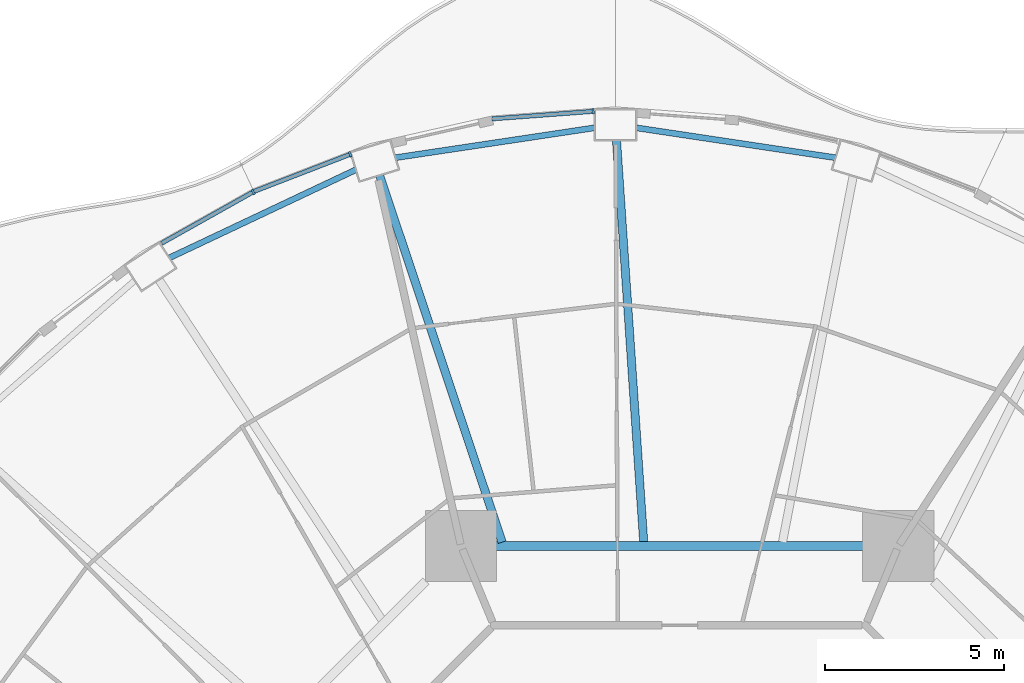
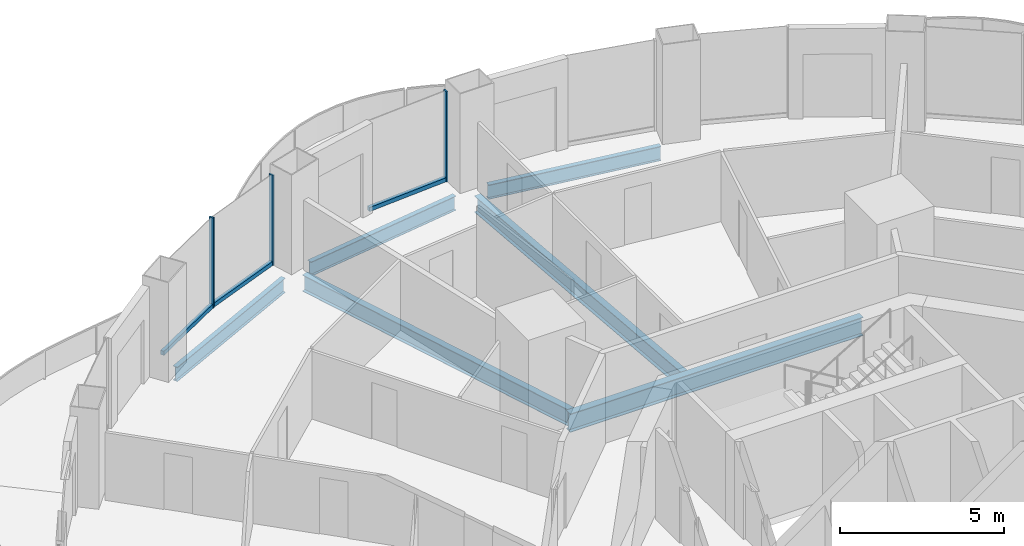
# One storey, part 8 of 21: 6 beams, 6 members, 3 elements without a shape of their own.
"""IFC4 building model written with IfcOpenShell, lengths in metres."""

from ifc_helpers import new_model, si_unit, direction, frame, origin, origin_2d, place, context, subcontext, project, spatial, rectangle, i_section, extrude, material, layer, layer_set, material_profile, profile_set, type_object, element, aggregate, save


model = new_model("IFC4")

# Units and contexts
model_context = context("Model", 3, precision=1e-05, world=origin(), true_north=direction((0.0, 1.0)))
body_context = subcontext(model_context, "Body", "Model", "MODEL_VIEW")
ifc_project = project(units=[si_unit("LENGTHUNIT", "METRE"), si_unit("AREAUNIT", "SQUARE_METRE"), si_unit("VOLUMEUNIT", "CUBIC_METRE"), si_unit("PLANEANGLEUNIT", "RADIAN"), si_unit("MASSUNIT", "GRAM", prefix="KILO")], contexts=[model_context])

# Site, building, storey
site_placement = place(None, origin())
site = spatial("IfcSite", under=ifc_project, at=site_placement, CompositionType="ELEMENT")
building_placement = place(site_placement, origin())
building = spatial("IfcBuilding", under=site, at=building_placement, Name="Nagisa Residences", CompositionType="ELEMENT")
storey_placement = place(building_placement, frame((0.0, 0.0, 156.60009765625)))
storey = spatial("IfcBuildingStorey", under=building, at=storey_placement, Name="L39", CompositionType="ELEMENT", Elevation=156.60009765625)

# Curtain wall, member
ifc_material_1 = material(Name="Concrete-coloured aluminium curtain wall system", Category="concrete")
ifc_layer = layer(ifc_material_1, 0.159912109375)
ifc_layer_set = layer_set([ifc_layer], Name="CW1 CURTAIN WALL")
curtain_wall_type = type_object("IfcCurtainWallType", Name="CW1 CURTAIN WALL", PredefinedType="NOTDEFINED", material=ifc_layer_set)
curtain_wall_1_placement = place(storey_placement, origin())
curtain_wall_1 = element("IfcCurtainWall", 1, at=curtain_wall_1_placement, inside=storey, type_object=curtain_wall_type, Name="cw:CW1:L39:12", PredefinedType="NOTDEFINED")
ifc_material_2 = material(Name="Concrete-coloured aluminium", Category="concrete")
ifc_material_profile_1 = material_profile(ifc_material_2, rectangle(XDim=0.159912109375, YDim=0.06005859375, at=origin_2d()), Name="CW1 MULLION 160x60")
ifc_profile_set_1 = profile_set([ifc_material_profile_1], Name="Concrete-coloured aluminium")
member_type_1 = type_object("IfcMemberType", Name="CW1 MULLION 160x60", PredefinedType="MULLION", material=ifc_profile_set_1)
member_1_placement = place(storey_placement, frame((-2.42236328125, 26.95068359375, 0.0), z_axis=(0.0, 0.0, 1.0), x_axis=(0.074377355493, -0.997230168512, 0.0)))
member_1 = element("IfcMember", 2, at=member_1_placement, type_object=member_type_1, Name="CW1 mullion", PredefinedType="MULLION", context=body_context, shape_type="SweptSolid", body=[
    extrude(rectangle(XDim=0.159912109375, YDim=0.06005859375, at=origin_2d()), origin(), (0.0, 0.0, 1.0), 3.349853515625),
])

curtain_wall_2_placement = place(storey_placement, origin())
curtain_wall_2 = element("IfcCurtainWall", 3, at=curtain_wall_2_placement, inside=storey, type_object=curtain_wall_type, Name="cw:CW1:L39:14", PredefinedType="NOTDEFINED")
member_2_placement = place(storey_placement, frame((-9.2265625, 25.746826171875, 0.0), z_axis=(0.0, 0.0, 1.0), x_axis=(0.360327770268, -0.932825759707, 0.0)))
member_2 = element("IfcMember", 4, at=member_2_placement, type_object=member_type_1, Name="CW1 mullion", PredefinedType="MULLION", context=body_context, shape_type="SweptSolid", body=[
    extrude(rectangle(XDim=0.159912109375, YDim=0.06005859375, at=origin_2d()), origin(), (0.0, 0.0, 1.0), 3.349853515625),
])

curtain_wall_3_placement = place(storey_placement, origin())
curtain_wall_3 = element("IfcCurtainWall", 5, at=curtain_wall_3_placement, inside=storey, type_object=curtain_wall_type, Name="cw:CW1:L39:15", PredefinedType="NOTDEFINED")
member_3_placement = place(storey_placement, frame((-11.94140625, 24.6943359375, 0.0), z_axis=(0.0, 0.0, 1.0), x_axis=(0.489376918501, -0.872072377523, 0.0)))
member_3 = element("IfcMember", 6, at=member_3_placement, type_object=member_type_1, Name="CW1 mullion", PredefinedType="MULLION", context=body_context, shape_type="SweptSolid", body=[
    extrude(rectangle(XDim=0.159912109375, YDim=0.06005859375, at=origin_2d()), origin(), (0.0, 0.0, 1.0), 3.349853515625),
])

# Member
ifc_material_3 = material(Name="Concrete-coloured aluminium", Category="concrete")
ifc_material_profile_2 = material_profile(ifc_material_3, rectangle(XDim=0.1201171875, YDim=0.14990234375, at=origin_2d()), Name="CW1 TRANSOM 120x150")
ifc_profile_set_2 = profile_set([ifc_material_profile_2], Name="Concrete-coloured aluminium")
member_type_2 = type_object("IfcMemberType", Name="CW1 TRANSOM 120x150", PredefinedType="USERDEFINED", material=ifc_profile_set_2)
member_4_placement = place(storey_placement, frame((-2.392333984375, 26.952880859375, 0.074951171875), z_axis=(-0.997232166829, -0.074350557769, 0.0), x_axis=(0.074350557769, -0.997232166829, 0.0)))
member_4 = element("IfcMember", 7, at=member_4_placement, type_object=member_type_2, Name="CW1 transom", ObjectType="TRANSOM", PredefinedType="USERDEFINED", context=body_context, shape_type="SweptSolid", body=[
    extrude(rectangle(XDim=0.1201171875, YDim=0.14990234375, at=origin_2d()), origin(), (0.0, 0.0, 1.0), 2.873291015625),
])

aggregate(curtain_wall_1, [member_1, member_4])

member_5_placement = place(storey_placement, frame((-9.19873046875, 25.757568359375, 0.074951171875), z_axis=(-0.932845344347, -0.360277064952, 0.0), x_axis=(0.360277064952, -0.932845344347, 0.0)))
member_5 = element("IfcMember", 8, at=member_5_placement, type_object=member_type_2, Name="CW1 transom", ObjectType="TRANSOM", PredefinedType="USERDEFINED", context=body_context, shape_type="SweptSolid", body=[
    extrude(rectangle(XDim=0.1201171875, YDim=0.14990234375, at=origin_2d()), origin(), (0.0, 0.0, 1.0), 2.92333984375),
])

aggregate(curtain_wall_2, [member_2, member_5])

member_6_placement = place(storey_placement, frame((-11.915283203125, 24.708984375, 0.074951171875), z_axis=(-0.872101969379, -0.489324181914, 0.0), x_axis=(0.489324181914, -0.872101969379, 0.0)))
member_6 = element("IfcMember", 9, at=member_6_placement, type_object=member_type_2, Name="CW1 transom", ObjectType="TRANSOM", PredefinedType="USERDEFINED", context=body_context, shape_type="SweptSolid", body=[
    extrude(rectangle(XDim=0.1201171875, YDim=0.14990234375, at=origin_2d()), origin(), (0.0, 0.0, 1.0), 2.9697265625),
])

aggregate(curtain_wall_3, [member_3, member_6])

# Beams
ifc_material_4 = material(Name="Steel ASTM A572 Gr 50", Category="steel")
ifc_material_profile_3 = material_profile(ifc_material_4, i_section(OverallWidth=0.25390625, OverallDepth=0.68408203125, WebThickness=0.012451171875, FlangeThickness=0.018798828125, at=origin_2d()), Name="W690x140")
ifc_profile_set_3 = profile_set([ifc_material_profile_3], Name="Steel ASTM A572 Gr 50")
beam_type_1 = type_object("IfcBeamType", Name="Inner ring beam W690x140", PredefinedType="BEAM", material=ifc_profile_set_3)
beam_1_placement = place(storey_placement, frame((5.142822265625, 14.781982421875, -0.60205078125), z_axis=(-1.0, 0.0, 0.0), x_axis=(0.0, -1.0, 0.0)))
element("IfcBeam", 10, at=beam_1_placement, inside=storey, type_object=beam_type_1, Name="beam:L39:ib2", PredefinedType="BEAM", context=body_context, shape_type="SweptSolid", body=[
    extrude(i_section(OverallWidth=0.25390625, OverallDepth=0.68408203125, WebThickness=0.012451171875, FlangeThickness=0.018798828125, at=origin_2d()), origin(), (0.0, 0.0, 1.0), 10.28564453125),
])
ifc_material_5 = material(Name="Steel ASTM A572 Gr 50", Category="steel")
ifc_material_profile_4 = material_profile(ifc_material_5, i_section(OverallWidth=0.166015625, OverallDepth=0.534912109375, WebThickness=0.01025390625, FlangeThickness=0.0166015625, at=origin_2d()), Name="W530x85")
ifc_profile_set_4 = profile_set([ifc_material_profile_4], Name="Steel ASTM A572 Gr 50")
beam_type_2 = type_object("IfcBeamType", Name="Perimeter ring beam W530x85", PredefinedType="BEAM", material=ifc_profile_set_4)
for number, where, z_axis, x_axis, name in (
    (11, (4.3583984375, 25.652587890625, -0.527587890625), (-0.9889122118, 0.148501304214, 0.0), (-0.148501304214, -0.9889122118, 0.0), "beam:L39:pb06"),
    (12, (-2.380126953125, 26.490234375, -0.527587890625), (-0.9889122118, -0.148501304214, 0.0), (0.148501304214, -0.9889122118, 0.0), "beam:L39:pb07"),
):
    element("IfcBeam", number, at=place(storey_placement, frame(where, z_axis=z_axis, x_axis=x_axis)), inside=storey, type_object=beam_type_2, Name=name, PredefinedType="BEAM", context=body_context, shape_type="SweptSolid", body=[
        extrude(i_section(OverallWidth=0.166015625, OverallDepth=0.534912109375, WebThickness=0.01025390625, FlangeThickness=0.0166015625, at=origin_2d()), origin(), (0.0, 0.0, 1.0), 5.640625),
    ])
beam_2_placement = place(storey_placement, frame((-9.068603515625, 25.31494140625, -0.527587890625), z_axis=(-0.904169699539, -0.427173447719, 0.0), x_axis=(0.427173447719, -0.904169699539, 0.0)))
element("IfcBeam", 13, at=beam_2_placement, inside=storey, type_object=beam_type_2, Name="beam:L39:pb08", PredefinedType="BEAM", context=body_context, shape_type="SweptSolid", body=[
    extrude(i_section(OverallWidth=0.166015625, OverallDepth=0.534912109375, WebThickness=0.01025390625, FlangeThickness=0.0166015625, at=origin_2d()), origin(), (0.0, 0.0, 1.0), 5.7724609375),
])
ifc_material_6 = material(Name="Steel ASTM A572 Gr 50", Category="steel")
ifc_material_profile_5 = material_profile(ifc_material_6, i_section(OverallWidth=0.22900390625, OverallDepth=0.612060546875, WebThickness=0.011962890625, FlangeThickness=0.01953125, at=origin_2d()), Name="W610x125")
ifc_profile_set_5 = profile_set([ifc_material_profile_5], Name="Steel ASTM A572 Gr 50")
beam_type_3 = type_object("IfcBeamType", Name="Radial beam W610x125", PredefinedType="BEAM", material=ifc_profile_set_5)
beam_3_placement = place(storey_placement, frame((-1.77099609375, 26.147216796875, -0.566162109375), z_axis=(0.067591690418, -0.997713066661, 0.0), x_axis=(0.997713066661, 0.067591690418, 0.0)))
element("IfcBeam", 14, at=beam_3_placement, inside=storey, type_object=beam_type_3, Name="beam:L39:rb07", PredefinedType="BEAM", context=body_context, shape_type="SweptSolid", body=[
    extrude(i_section(OverallWidth=0.22900390625, OverallDepth=0.612060546875, WebThickness=0.011962890625, FlangeThickness=0.01953125, at=origin_2d()), origin(), (0.0, 0.0, 1.0), 11.283935546875),
])
beam_4_placement = place(storey_placement, frame((-8.402099609375, 25.157470703125, -0.566162109375), z_axis=(0.316789297789, -0.948495936104, 0.0), x_axis=(0.948495936104, 0.316789297789, 0.0)))
element("IfcBeam", 15, at=beam_4_placement, inside=storey, type_object=beam_type_3, Name="beam:L39:rb08", PredefinedType="BEAM", context=body_context, shape_type="SweptSolid", body=[
    extrude(i_section(OverallWidth=0.22900390625, OverallDepth=0.612060546875, WebThickness=0.011962890625, FlangeThickness=0.01953125, at=origin_2d()), origin(), (0.0, 0.0, 1.0), 10.824951171875),
])

save(model, "model.ifc")
